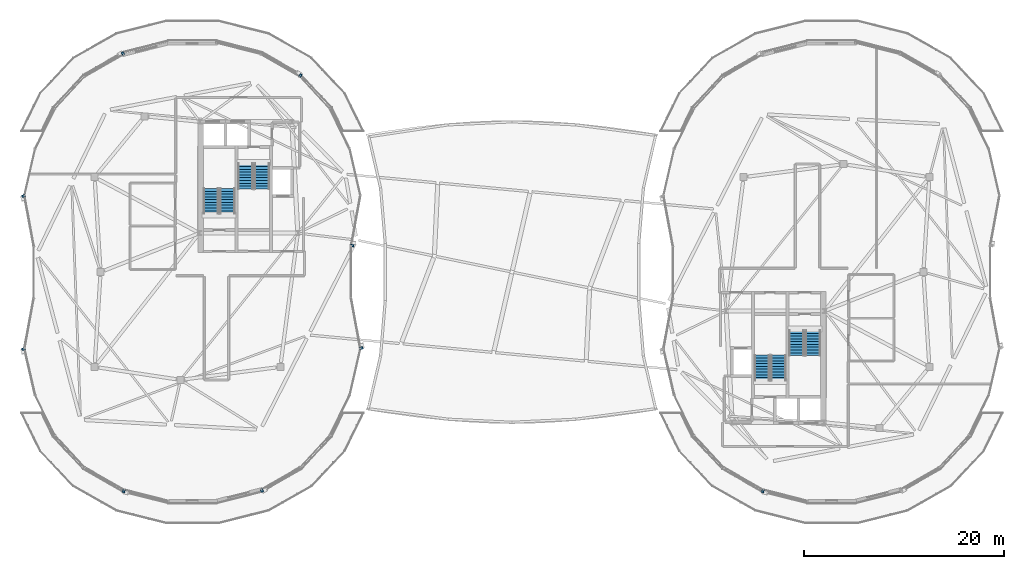
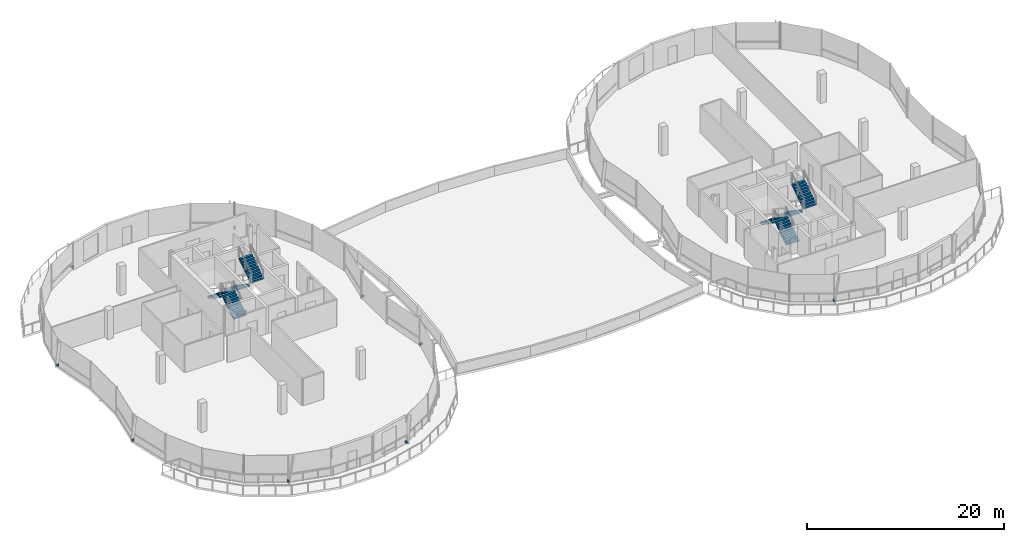
# One storey, part 23 of 31: 9 discrete accessories, 8 stair flights, 4 elements without a shape of their own.
"""IFC4 building model written with IfcOpenShell, lengths in metres."""

from ifc_helpers import new_model, si_unit, direction, frame, origin, origin_2d, place, context, subcontext, project, spatial, polyline, rectangle, outline, extrude, material, type_object, element, aggregate, save


model = new_model("IFC4")

# Units and contexts
model_context = context("Model", 3, precision=1e-05, world=origin(), true_north=direction((0.0, 1.0)))
body_context = subcontext(model_context, "Body", "Model", "MODEL_VIEW")
ifc_project = project(units=[si_unit("LENGTHUNIT", "METRE"), si_unit("AREAUNIT", "SQUARE_METRE"), si_unit("VOLUMEUNIT", "CUBIC_METRE"), si_unit("PLANEANGLEUNIT", "RADIAN"), si_unit("MASSUNIT", "GRAM", prefix="KILO"), si_unit("THERMODYNAMICTEMPERATUREUNIT", "KELVIN"), si_unit("POWERUNIT", "WATT")], contexts=[model_context])

# Site, building, storey
site_placement = place(None, origin())
site = spatial("IfcSite", under=ifc_project, at=site_placement, CompositionType="ELEMENT")
building_placement = place(site_placement, origin())
building = spatial("IfcBuilding", under=site, at=building_placement, Name="Cundina Bronze Exchange", CompositionType="ELEMENT")
storey_placement = place(building_placement, frame((0.0, 0.0, 275.60009765625)))
storey = spatial("IfcBuildingStorey", under=building, at=storey_placement, Name="L73", CompositionType="ELEMENT", Elevation=275.60009765625)

# Stair, stair flights
ifc_material_1 = material(Name="Concrete C40/50", Category="concrete")
stair_type = type_object("IfcStairType", Name="STR-OFF-360", PredefinedType="HALF_TURN_STAIR", material=ifc_material_1)
stair_1_placement = place(storey_placement, origin())
stair_1 = element("IfcStair", 1, at=stair_1_placement, inside=storey, type_object=stair_type, Name="L73 Smokeproof Exit Stair W1", PredefinedType="HALF_TURN_STAIR")
stair_flight_type = type_object("IfcStairFlightType", Name="FLG-OFF-180", PredefinedType="STRAIGHT", material=ifc_material_1)
stair_flight_1_placement = place(storey_placement, frame((-28.489990234375, 5.85009765625, 0.0), z_axis=(0.0, 0.0, 1.0), x_axis=(0.0, 1.0, 0.0)))
stair_flight_1 = element("IfcStairFlight", 2, at=stair_flight_1_placement, type_object=stair_flight_type, Name="ST-W1 flight 1", NumberOfRisers=10, NumberOfTreads=9, PredefinedType="STRAIGHT", RiserHeight=0.18, TreadLength=0.28, context=body_context, shape_type="SweptSolid", body=[
    extrude(outline(polyline([(0.0, 0.0), (0.0, 0.179931640625), (0.280029296875, 0.179931640625), (0.280029296875, 0.360107421875), (0.56005859375, 0.360107421875), (0.56005859375, 0.5400390625), (0.840087890625, 0.5400390625), (0.840087890625, 0.719970703125), (1.1201171875, 0.719970703125), (1.1201171875, 0.89990234375), (1.39990234375, 0.89990234375), (1.39990234375, 1.080078125), (1.679931640625, 1.080078125), (1.679931640625, 1.260009765625), (1.9599609375, 1.260009765625), (1.9599609375, 1.43994140625), (2.239990234375, 1.43994140625), (2.239990234375, 1.6201171875), (2.52001953125, 1.6201171875), (2.52001953125, 1.800048828125), (2.52001953125, 1.44189453125), (0.277099609375, 0.0), (0.0, 0.0)])), frame((0.0, 0.75, 0.0), z_axis=(0.0, -1.0, 0.0), x_axis=(1.0, 0.0, 0.0)), (0.0, 0.0, 1.0), 1.5),
])
stair_flight_2_placement = place(storey_placement, frame((-30.14990234375, 8.3701171875, 1.7998046875), z_axis=(0.0, 0.0, 1.0), x_axis=(0.0, -1.0, 0.0)))
stair_flight_2 = element("IfcStairFlight", 3, at=stair_flight_2_placement, type_object=stair_flight_type, Name="ST-W1 flight 2", NumberOfRisers=10, NumberOfTreads=9, PredefinedType="STRAIGHT", RiserHeight=0.18, TreadLength=0.28, context=body_context, shape_type="SweptSolid", body=[
    extrude(outline(polyline([(0.0, 0.0), (0.0, 0.179931640625), (0.280029296875, 0.179931640625), (0.280029296875, 0.360107421875), (0.56005859375, 0.360107421875), (0.56005859375, 0.5400390625), (0.840087890625, 0.5400390625), (0.840087890625, 0.719970703125), (1.1201171875, 0.719970703125), (1.1201171875, 0.89990234375), (1.39990234375, 0.89990234375), (1.39990234375, 1.080078125), (1.679931640625, 1.080078125), (1.679931640625, 1.260009765625), (1.9599609375, 1.260009765625), (1.9599609375, 1.43994140625), (2.239990234375, 1.43994140625), (2.239990234375, 1.6201171875), (2.52001953125, 1.6201171875), (2.52001953125, 1.800048828125), (2.52001953125, 1.44189453125), (0.277099609375, 0.0), (0.0, 0.0)])), frame((0.0, 0.75, 0.0), z_axis=(0.0, -1.0, 0.0), x_axis=(1.0, 0.0, 0.0)), (0.0, 0.0, 1.0), 1.5),
])
aggregate(stair_1, [stair_flight_1, stair_flight_2])

stair_2_placement = place(storey_placement, origin())
stair_2 = element("IfcStair", 4, at=stair_2_placement, inside=storey, type_object=stair_type, Name="L73 Smokeproof Exit Stair W2", PredefinedType="HALF_TURN_STAIR")
stair_flight_3_placement = place(storey_placement, frame((-26.68994140625, 10.85009765625, 0.0), z_axis=(0.0, 0.0, 1.0), x_axis=(0.0, -1.0, 0.0)))
stair_flight_3 = element("IfcStairFlight", 5, at=stair_flight_3_placement, type_object=stair_flight_type, Name="ST-W2 flight 1", NumberOfRisers=10, NumberOfTreads=9, PredefinedType="STRAIGHT", RiserHeight=0.18, TreadLength=0.28, context=body_context, shape_type="SweptSolid", body=[
    extrude(outline(polyline([(0.0, 0.0), (0.0, 0.179931640625), (0.280029296875, 0.179931640625), (0.280029296875, 0.360107421875), (0.56005859375, 0.360107421875), (0.56005859375, 0.5400390625), (0.840087890625, 0.5400390625), (0.840087890625, 0.719970703125), (1.1201171875, 0.719970703125), (1.1201171875, 0.89990234375), (1.39990234375, 0.89990234375), (1.39990234375, 1.080078125), (1.679931640625, 1.080078125), (1.679931640625, 1.260009765625), (1.9599609375, 1.260009765625), (1.9599609375, 1.43994140625), (2.239990234375, 1.43994140625), (2.239990234375, 1.6201171875), (2.52001953125, 1.6201171875), (2.52001953125, 1.800048828125), (2.52001953125, 1.44189453125), (0.277099609375, 0.0), (0.0, 0.0)])), frame((0.0, 0.75, 0.0), z_axis=(0.0, -1.0, 0.0), x_axis=(1.0, 0.0, 0.0)), (0.0, 0.0, 1.0), 1.5),
])
stair_flight_4_placement = place(storey_placement, frame((-25.030029296875, 8.330078125, 1.7998046875), z_axis=(0.0, 0.0, 1.0), x_axis=(0.0, 1.0, 0.0)))
stair_flight_4 = element("IfcStairFlight", 6, at=stair_flight_4_placement, type_object=stair_flight_type, Name="ST-W2 flight 2", NumberOfRisers=10, NumberOfTreads=9, PredefinedType="STRAIGHT", RiserHeight=0.18, TreadLength=0.28, context=body_context, shape_type="SweptSolid", body=[
    extrude(outline(polyline([(0.0, 0.0), (0.0, 0.179931640625), (0.280029296875, 0.179931640625), (0.280029296875, 0.360107421875), (0.56005859375, 0.360107421875), (0.56005859375, 0.5400390625), (0.840087890625, 0.5400390625), (0.840087890625, 0.719970703125), (1.1201171875, 0.719970703125), (1.1201171875, 0.89990234375), (1.39990234375, 0.89990234375), (1.39990234375, 1.080078125), (1.679931640625, 1.080078125), (1.679931640625, 1.260009765625), (1.9599609375, 1.260009765625), (1.9599609375, 1.43994140625), (2.239990234375, 1.43994140625), (2.239990234375, 1.6201171875), (2.52001953125, 1.6201171875), (2.52001953125, 1.800048828125), (2.52001953125, 1.44189453125), (0.277099609375, 0.0), (0.0, 0.0)])), frame((0.0, 0.75, 0.0), z_axis=(0.0, -1.0, 0.0), x_axis=(1.0, 0.0, 0.0)), (0.0, 0.0, 1.0), 1.5),
])
aggregate(stair_2, [stair_flight_3, stair_flight_4])

stair_3_placement = place(storey_placement, origin())
stair_3 = element("IfcStair", 7, at=stair_3_placement, inside=storey, type_object=stair_type, Name="L73 Smokeproof Exit Stair E1", PredefinedType="HALF_TURN_STAIR")
stair_flight_5_placement = place(storey_placement, frame((28.489990234375, -5.85009765625, 0.0), z_axis=(0.0, 0.0, 1.0), x_axis=(0.0, -1.0, 0.0)))
stair_flight_5 = element("IfcStairFlight", 8, at=stair_flight_5_placement, type_object=stair_flight_type, Name="ST-E1 flight 1", NumberOfRisers=10, NumberOfTreads=9, PredefinedType="STRAIGHT", RiserHeight=0.18, TreadLength=0.28, context=body_context, shape_type="SweptSolid", body=[
    extrude(outline(polyline([(0.0, 0.0), (0.0, 0.179931640625), (0.280029296875, 0.179931640625), (0.280029296875, 0.360107421875), (0.56005859375, 0.360107421875), (0.56005859375, 0.5400390625), (0.840087890625, 0.5400390625), (0.840087890625, 0.719970703125), (1.1201171875, 0.719970703125), (1.1201171875, 0.89990234375), (1.39990234375, 0.89990234375), (1.39990234375, 1.080078125), (1.679931640625, 1.080078125), (1.679931640625, 1.260009765625), (1.9599609375, 1.260009765625), (1.9599609375, 1.43994140625), (2.239990234375, 1.43994140625), (2.239990234375, 1.6201171875), (2.52001953125, 1.6201171875), (2.52001953125, 1.800048828125), (2.52001953125, 1.44189453125), (0.277099609375, 0.0), (0.0, 0.0)])), frame((0.0, 0.75, 0.0), z_axis=(0.0, -1.0, 0.0), x_axis=(1.0, 0.0, 0.0)), (0.0, 0.0, 1.0), 1.5),
])
stair_flight_6_placement = place(storey_placement, frame((30.14990234375, -8.3701171875, 1.7998046875), z_axis=(0.0, 0.0, 1.0), x_axis=(0.0, 1.0, 0.0)))
stair_flight_6 = element("IfcStairFlight", 9, at=stair_flight_6_placement, type_object=stair_flight_type, Name="ST-E1 flight 2", NumberOfRisers=10, NumberOfTreads=9, PredefinedType="STRAIGHT", RiserHeight=0.18, TreadLength=0.28, context=body_context, shape_type="SweptSolid", body=[
    extrude(outline(polyline([(0.0, 0.0), (0.0, 0.179931640625), (0.280029296875, 0.179931640625), (0.280029296875, 0.360107421875), (0.56005859375, 0.360107421875), (0.56005859375, 0.5400390625), (0.840087890625, 0.5400390625), (0.840087890625, 0.719970703125), (1.1201171875, 0.719970703125), (1.1201171875, 0.89990234375), (1.39990234375, 0.89990234375), (1.39990234375, 1.080078125), (1.679931640625, 1.080078125), (1.679931640625, 1.260009765625), (1.9599609375, 1.260009765625), (1.9599609375, 1.43994140625), (2.239990234375, 1.43994140625), (2.239990234375, 1.6201171875), (2.52001953125, 1.6201171875), (2.52001953125, 1.800048828125), (2.52001953125, 1.44189453125), (0.277099609375, 0.0), (0.0, 0.0)])), frame((0.0, 0.75, 0.0), z_axis=(0.0, -1.0, 0.0), x_axis=(1.0, 0.0, 0.0)), (0.0, 0.0, 1.0), 1.5),
])
aggregate(stair_3, [stair_flight_5, stair_flight_6])

stair_4_placement = place(storey_placement, origin())
stair_4 = element("IfcStair", 10, at=stair_4_placement, inside=storey, type_object=stair_type, Name="L73 Smokeproof Exit Stair E2", PredefinedType="HALF_TURN_STAIR")
stair_flight_7_placement = place(storey_placement, frame((26.68994140625, -10.85009765625, 0.0), z_axis=(0.0, 0.0, 1.0), x_axis=(0.0, 1.0, 0.0)))
stair_flight_7 = element("IfcStairFlight", 11, at=stair_flight_7_placement, type_object=stair_flight_type, Name="ST-E2 flight 1", NumberOfRisers=10, NumberOfTreads=9, PredefinedType="STRAIGHT", RiserHeight=0.18, TreadLength=0.28, context=body_context, shape_type="SweptSolid", body=[
    extrude(outline(polyline([(0.0, 0.0), (0.0, 0.179931640625), (0.280029296875, 0.179931640625), (0.280029296875, 0.360107421875), (0.56005859375, 0.360107421875), (0.56005859375, 0.5400390625), (0.840087890625, 0.5400390625), (0.840087890625, 0.719970703125), (1.1201171875, 0.719970703125), (1.1201171875, 0.89990234375), (1.39990234375, 0.89990234375), (1.39990234375, 1.080078125), (1.679931640625, 1.080078125), (1.679931640625, 1.260009765625), (1.9599609375, 1.260009765625), (1.9599609375, 1.43994140625), (2.239990234375, 1.43994140625), (2.239990234375, 1.6201171875), (2.52001953125, 1.6201171875), (2.52001953125, 1.800048828125), (2.52001953125, 1.44189453125), (0.277099609375, 0.0), (0.0, 0.0)])), frame((0.0, 0.75, 0.0), z_axis=(0.0, -1.0, 0.0), x_axis=(1.0, 0.0, 0.0)), (0.0, 0.0, 1.0), 1.5),
])
stair_flight_8_placement = place(storey_placement, frame((25.030029296875, -8.330078125, 1.7998046875), z_axis=(0.0, 0.0, 1.0), x_axis=(0.0, -1.0, 0.0)))
stair_flight_8 = element("IfcStairFlight", 12, at=stair_flight_8_placement, type_object=stair_flight_type, Name="ST-E2 flight 2", NumberOfRisers=10, NumberOfTreads=9, PredefinedType="STRAIGHT", RiserHeight=0.18, TreadLength=0.28, context=body_context, shape_type="SweptSolid", body=[
    extrude(outline(polyline([(0.0, 0.0), (0.0, 0.179931640625), (0.280029296875, 0.179931640625), (0.280029296875, 0.360107421875), (0.56005859375, 0.360107421875), (0.56005859375, 0.5400390625), (0.840087890625, 0.5400390625), (0.840087890625, 0.719970703125), (1.1201171875, 0.719970703125), (1.1201171875, 0.89990234375), (1.39990234375, 0.89990234375), (1.39990234375, 1.080078125), (1.679931640625, 1.080078125), (1.679931640625, 1.260009765625), (1.9599609375, 1.260009765625), (1.9599609375, 1.43994140625), (2.239990234375, 1.43994140625), (2.239990234375, 1.6201171875), (2.52001953125, 1.6201171875), (2.52001953125, 1.800048828125), (2.52001953125, 1.44189453125), (0.277099609375, 0.0), (0.0, 0.0)])), frame((0.0, 0.75, 0.0), z_axis=(0.0, -1.0, 0.0), x_axis=(1.0, 0.0, 0.0)), (0.0, 0.0, 1.0), 1.5),
])
aggregate(stair_4, [stair_flight_7, stair_flight_8])

# Discrete accessories
ifc_material_2 = material(Name="Anodised Bronze Aluminium 6063-T6", Category="aluminium")
discrete_accessory_type = type_object("IfcDiscreteAccessoryType", Name="ACC-BRK-FIN", PredefinedType="BRACKET", material=ifc_material_2)
for number, where, z_axis, x_axis, name in (
    (13, (-15.994873046875, 2.640869140625, 0.10009765625), (0.0, 0.0, 1.0), (0.181566202941, 0.983378723559, 0.0), "L73 Fin Support Bracket 1"),
    (14, (-21.19140625, 19.67529296875, 0.10009765625), (0.0, 0.0, 1.0), (-0.86745302415, 0.497519096008, 0.0), "L73 Fin Support Bracket 5"),
    (15, (-38.95751953125, 21.884033203125, 0.10009765625), (0.0, 0.0, 1.0), (-0.86745302415, -0.497519096008, 0.0), "L73 Fin Support Bracket 1"),
    (16, (-48.923583984375, 7.615478515625, 0.10009765625), (0.0, 0.0, 1.0), (0.181566202941, -0.983378723559, 0.0), "L73 Fin Support Bracket 5"),
    (17, (-48.92138671875, -7.70849609375, 0.10009765625), (0.0, 0.0, 1.0), (0.224015622728, -0.974585553337, 0.0), "L73 Fin Support Bracket 1"),
    (18, (-38.871337890625, -21.9189453125, 0.10009765625), (0.0, 0.0, 1.0), (0.969067441506, -0.246796057127, 0.0), "L73 Fin Support Bracket 5"),
    (19, (-25.04248046875, -21.884033203125, 0.10009765625), (0.0, 0.0, 1.0), (0.86745302415, 0.497519096008, 0.0), "L73 Fin Support Bracket 1"),
    (20, (-15.076416015625, -7.615478515625, 0.10009765625), (0.0, 0.0, 1.0), (-0.181566202941, 0.983378723559, 0.0), "L73 Fin Support Bracket 5"),
    (21, (25.128662109375, -21.9189453125, 0.10009765625), (0.0, 0.0, 1.0), (0.969067441506, -0.246796057127, 0.0), "L73 Fin Support Bracket 5"),
):
    element("IfcDiscreteAccessory", number, at=place(storey_placement, frame(where, z_axis=z_axis, x_axis=x_axis)), inside=storey, type_object=discrete_accessory_type, Name=name, PredefinedType="BRACKET", context=body_context, shape_type="SweptSolid", body=[
        extrude(rectangle(XDim=0.219970703125, YDim=0.320068359375, at=origin_2d()), origin(), (0.0, 0.0, 1.0), 0.239990234375),
    ])

save(model, "model.ifc")
